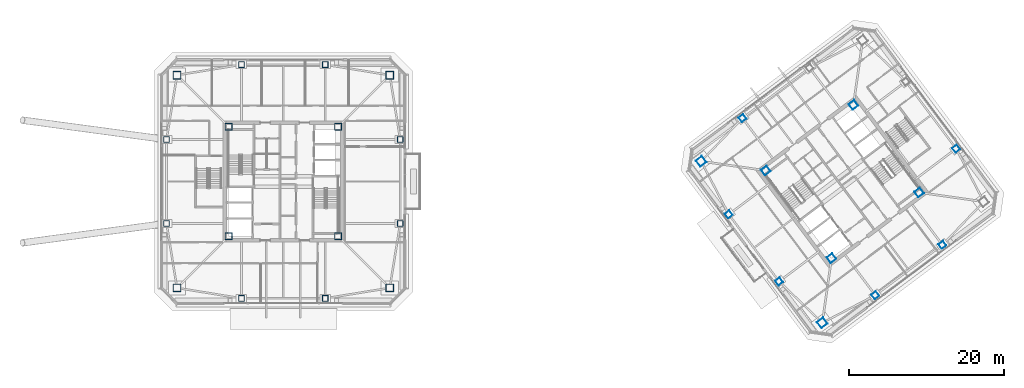
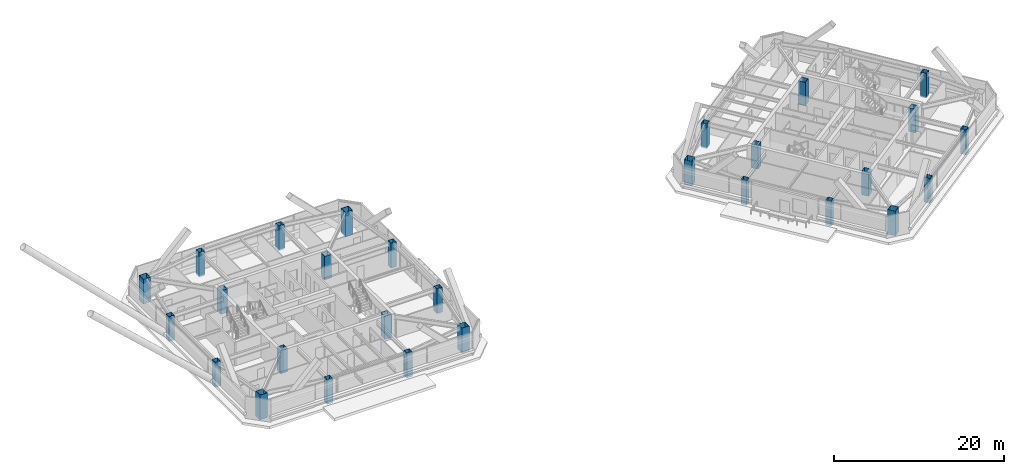
# One storey, part 1 of 39: 28 columns.
"""IFC4 building model written with IfcOpenShell, lengths in metres."""

from ifc_helpers import new_model, si_unit, direction, frame, origin, origin_2d, place, context, subcontext, project, spatial, hollow_rectangle, extrude, material, material_profile, profile_set, type_object, element, save


model = new_model("IFC4")

# Units and contexts
model_context = context("Model", 3, precision=1e-05, world=origin(), true_north=direction((0.0, 1.0)))
body_context = subcontext(model_context, "Body", "Model", "MODEL_VIEW")
ifc_project = project(units=[si_unit("LENGTHUNIT", "METRE"), si_unit("AREAUNIT", "SQUARE_METRE"), si_unit("VOLUMEUNIT", "CUBIC_METRE"), si_unit("PLANEANGLEUNIT", "RADIAN"), si_unit("MASSUNIT", "GRAM", prefix="KILO")], contexts=[model_context])

# Site, building, storey
site_placement = place(None, origin())
site = spatial("IfcSite", under=ifc_project, at=site_placement, CompositionType="ELEMENT")
building_placement = place(site_placement, origin())
building = spatial("IfcBuilding", under=site, at=building_placement, Name="Tashvorn Skyway Center", CompositionType="ELEMENT")
storey_placement = place(building_placement, frame((0.0, 0.0, 232.60009765625)))
storey = spatial("IfcBuildingStorey", under=building, at=storey_placement, Name="L63", CompositionType="ELEMENT", Elevation=232.60009765625)

# Columns
ifc_material = material(Name="Steel ASTM A572 Grade 50", Category="steel")
ifc_material_profile_1 = material_profile(ifc_material, hollow_rectangle(XDim=1.0, YDim=1.0, WallThickness=0.0400390625, at=origin_2d()), Name="BOX1000x1000x40")
ifc_profile_set_1 = profile_set([ifc_material_profile_1], Name="Steel ASTM A572 Grade 50")
column_type_1 = type_object("IfcColumnType", Name="COL-BOX1000x1000x40", PredefinedType="COLUMN", material=ifc_profile_set_1)
for number, where, z_axis, x_axis, name in (
    (1, (28.300048828125, 18.300048828125, -0.175048828125), (0.0, 0.0, 1.0), (1.0, 0.0, 0.0), "Tower 1 L63 Mega-Column MC-SW"),
    (2, (55.699951171875, 18.300048828125, -0.175048828125), (0.0, 0.0, 1.0), (1.0, 0.0, 0.0), "Tower 1 L63 Mega-Column MC-SE"),
    (3, (55.699951171875, 45.699951171875, -0.175048828125), (0.0, 0.0, 1.0), (1.0, 0.0, 0.0), "Tower 1 L63 Mega-Column MC-NE"),
    (4, (28.300048828125, 45.699951171875, -0.175048828125), (0.0, 0.0, 1.0), (1.0, 0.0, 0.0), "Tower 1 L63 Mega-Column MC-NW"),
    (5, (111.39990234375, 13.800048828125, -0.175048828125), (0.0, 0.0, 1.0), (0.799999996291, 0.600000004945, 0.0), "Tower 2 L63 Mega-Column MC-SW"),
    (6, (95.800048828125, 34.60009765625, -0.175048828125), (0.0, 0.0, 1.0), (0.799999996291, 0.600000004945, 0.0), "Tower 2 L63 Mega-Column MC-NW"),
):
    element("IfcColumn", number, at=place(storey_placement, frame(where, z_axis=z_axis, x_axis=x_axis)), inside=storey, type_object=column_type_1, Name=name, PredefinedType="COLUMN", context=body_context, shape_type="SweptSolid", body=[
        extrude(hollow_rectangle(XDim=1.0, YDim=1.0, WallThickness=0.0400390625, at=origin_2d()), origin(), (0.0, 0.0, 1.0), 3.544921875),
    ])
ifc_material_profile_2 = material_profile(ifc_material, hollow_rectangle(XDim=0.75, YDim=0.75, WallThickness=0.031982421875, at=origin_2d()), Name="BOX750x750x32")
ifc_profile_set_2 = profile_set([ifc_material_profile_2], Name="Steel ASTM A572 Grade 50")
column_type_2 = type_object("IfcColumnType", Name="COL-BOX750x750x32", PredefinedType="COLUMN", material=ifc_profile_set_2)
for number, where, z_axis, x_axis, name in (
    (7, (36.60009765625, 16.949951171875, -0.175048828125), (0.0, 0.0, 1.0), (1.0, 0.0, 0.0), "Tower 1 L63 Perimeter Column FC-S1"),
    (8, (47.39990234375, 16.949951171875, -0.175048828125), (0.0, 0.0, 1.0), (1.0, 0.0, 0.0), "Tower 1 L63 Perimeter Column FC-S2"),
    (9, (57.050048828125, 26.60009765625, -0.175048828125), (0.0, 0.0, 1.0), (1.0, 0.0, 0.0), "Tower 1 L63 Perimeter Column FC-E1"),
    (10, (57.050048828125, 37.39990234375, -0.175048828125), (0.0, 0.0, 1.0), (1.0, 0.0, 0.0), "Tower 1 L63 Perimeter Column FC-E2"),
    (11, (47.39990234375, 47.050048828125, -0.175048828125), (0.0, 0.0, 1.0), (1.0, 0.0, 0.0), "Tower 1 L63 Perimeter Column FC-N1"),
    (12, (36.60009765625, 47.050048828125, -0.175048828125), (0.0, 0.0, 1.0), (1.0, 0.0, 0.0), "Tower 1 L63 Perimeter Column FC-N2"),
    (13, (26.949951171875, 37.39990234375, -0.175048828125), (0.0, 0.0, 1.0), (1.0, 0.0, 0.0), "Tower 1 L63 Perimeter Column FC-W1"),
    (14, (26.949951171875, 26.60009765625, -0.175048828125), (0.0, 0.0, 1.0), (1.0, 0.0, 0.0), "Tower 1 L63 Perimeter Column FC-W2"),
    (15, (118.22998046875, 17.360107421875, -0.175048828125), (0.0, 0.0, 1.0), (0.799999996291, 0.600000004945, 0.0), "Tower 2 L63 Perimeter Column FC-S1"),
    (16, (126.8701171875, 23.840087890625, -0.175048828125), (0.0, 0.0, 1.0), (0.799999996291, 0.600000004945, 0.0), "Tower 2 L63 Perimeter Column FC-S2"),
    (17, (128.639892578125, 36.22998046875, -0.175048828125), (0.0, 0.0, 1.0), (0.799999996291, 0.600000004945, 0.0), "Tower 2 L63 Perimeter Column FC-E1"),
    (18, (101.1298828125, 40.159912109375, -0.175048828125), (0.0, 0.0, 1.0), (0.799999996291, 0.600000004945, 0.0), "Tower 2 L63 Perimeter Column FC-N2"),
    (19, (99.360107421875, 27.77001953125, -0.175048828125), (0.0, 0.0, 1.0), (0.799999996291, 0.600000004945, 0.0), "Tower 2 L63 Perimeter Column FC-W1"),
    (20, (105.840087890625, 19.1298828125, -0.175048828125), (0.0, 0.0, 1.0), (0.799999996291, 0.600000004945, 0.0), "Tower 2 L63 Perimeter Column FC-W2"),
):
    element("IfcColumn", number, at=place(storey_placement, frame(where, z_axis=z_axis, x_axis=x_axis)), inside=storey, type_object=column_type_2, Name=name, PredefinedType="COLUMN", context=body_context, shape_type="SweptSolid", body=[
        extrude(hollow_rectangle(XDim=0.75, YDim=0.75, WallThickness=0.031982421875, at=origin_2d()), origin(), (0.0, 0.0, 1.0), 3.544921875),
    ])
ifc_material_profile_3 = material_profile(ifc_material, hollow_rectangle(XDim=0.89990234375, YDim=0.89990234375, WallThickness=0.0400390625, at=origin_2d()), Name="BOX900x900x40")
ifc_profile_set_3 = profile_set([ifc_material_profile_3], Name="Steel ASTM A572 Grade 50")
column_type_3 = type_object("IfcColumnType", Name="COL-BOX900x900x40", PredefinedType="COLUMN", material=ifc_profile_set_3)
for number, where, z_axis, x_axis, name in (
    (21, (34.949951171875, 24.949951171875, 0.0), (0.0, 0.0, 1.0), (1.0, 0.0, 0.0), "Tower 1 L63 Core Corner Column CC-SW"),
    (22, (49.050048828125, 24.949951171875, 0.0), (0.0, 0.0, 1.0), (1.0, 0.0, 0.0), "Tower 1 L63 Core Corner Column CC-SE"),
    (23, (49.050048828125, 39.050048828125, 0.0), (0.0, 0.0, 1.0), (1.0, 0.0, 0.0), "Tower 1 L63 Core Corner Column CC-NE"),
    (24, (34.949951171875, 39.050048828125, 0.0), (0.0, 0.0, 1.0), (1.0, 0.0, 0.0), "Tower 1 L63 Core Corner Column CC-NW"),
    (25, (112.590087890625, 22.1298828125, 0.0), (0.0, 0.0, 1.0), (0.799999996291, 0.600000004945, 0.0), "Tower 2 L63 Core Corner Column CC-SW"),
    (26, (123.8701171875, 30.590087890625, 0.0), (0.0, 0.0, 1.0), (0.799999996291, 0.600000004945, 0.0), "Tower 2 L63 Core Corner Column CC-SE"),
    (27, (115.409912109375, 41.8701171875, 0.0), (0.0, 0.0, 1.0), (0.799999996291, 0.600000004945, 0.0), "Tower 2 L63 Core Corner Column CC-NE"),
    (28, (104.1298828125, 33.409912109375, 0.0), (0.0, 0.0, 1.0), (0.799999996291, 0.600000004945, 0.0), "Tower 2 L63 Core Corner Column CC-NW"),
):
    element("IfcColumn", number, at=place(storey_placement, frame(where, z_axis=z_axis, x_axis=x_axis)), inside=storey, type_object=column_type_3, Name=name, PredefinedType="COLUMN", context=body_context, shape_type="SweptSolid", body=[
        extrude(hollow_rectangle(XDim=0.89990234375, YDim=0.89990234375, WallThickness=0.0400390625, at=origin_2d()), origin(), (0.0, 0.0, 1.0), 3.369873046875),
    ])

save(model, "model.ifc")
